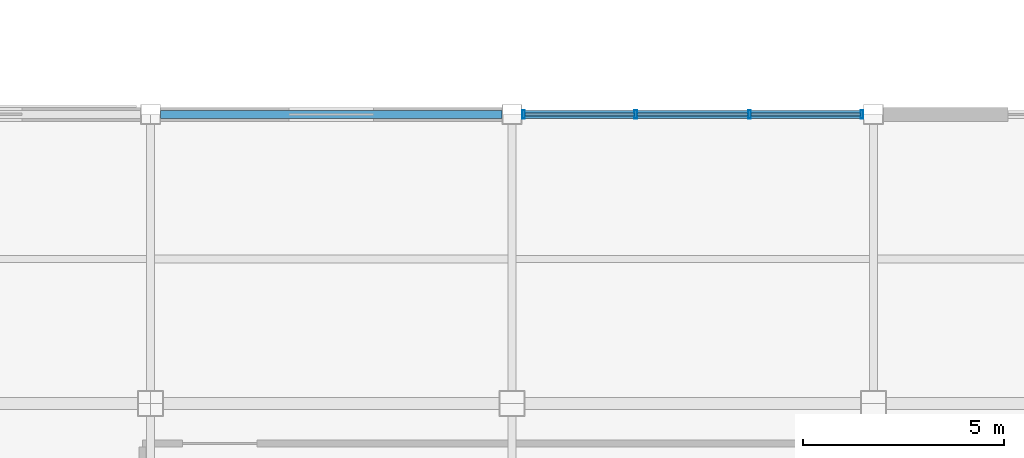
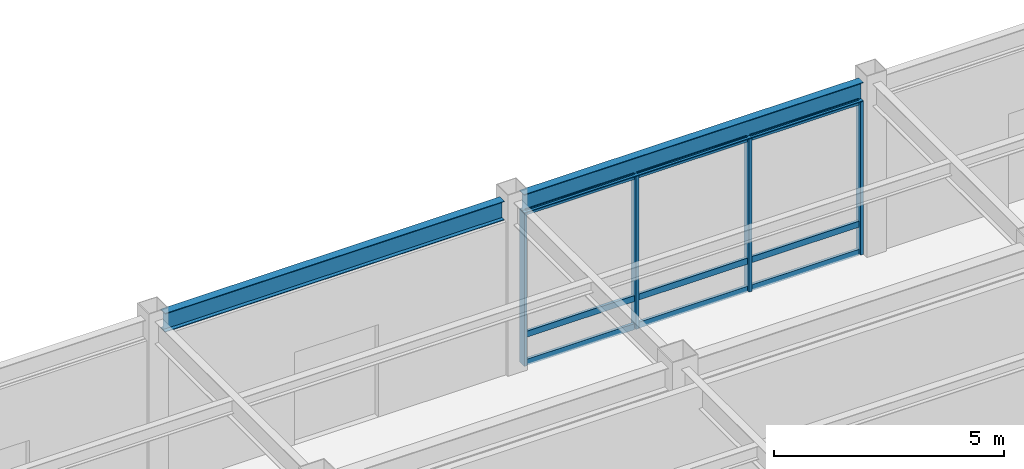
# One storey, part 71 of 112: 13 members, 2 beams, 1 element without a shape of its own.
"""IFC4 building model written with IfcOpenShell, lengths in metres."""

import ifcopenshell
import ifcopenshell.guid

model = None  # the IFC model being written
_history = None  # IfcOwnerHistory: only IFC2X3 demands one
_inside = {}  # id of a spatial element -> (the spatial element, [elements in it])
_under = {}  # id of a project, library or spatial element -> (it, [spatial elements below it])
_declared = {}  # id of a project -> (the project, [libraries it declares])
_typed = {}  # id of a type object -> (the type object, [elements of that type])
_made_of = {}  # id of a material, layer set ... -> (it, [elements and type objects made of it])


def new_model(schema):
    """Start an empty IFC model of exactly this schema.

    Asked for "IFC4X3", IfcOpenShell would pick the latest addendum, in which some entities
    have other attributes; the version numbers below select the first issue.
    IFC2X3 requires an IfcOwnerHistory on every rooted entity: one is made here for all.
    """
    global model, _history
    if schema == "IFC4X3":
        model = ifcopenshell.file(schema_version=(4, 3, 0, 0))
    else:
        model = ifcopenshell.file(schema=schema)
    _inside.clear()
    _under.clear()
    _declared.clear()
    _typed.clear()
    _made_of.clear()
    _history = None
    if model.schema == "IFC2X3":
        org = make("IfcOrganization", Name="unknown")
        user = make(
            "IfcPersonAndOrganization",
            ThePerson=make("IfcPerson", FamilyName="unknown"),
            TheOrganization=org,
        )
        app = make(
            "IfcApplication",
            ApplicationDeveloper=org,
            Version="unknown",
            ApplicationFullName="unknown",
            ApplicationIdentifier="unknown",
        )
        _history = make(
            "IfcOwnerHistory",
            OwningUser=user,
            OwningApplication=app,
            ChangeAction="ADDED",
            CreationDate=0,
        )
    return model


def make(cls, **values):
    """One entity of the class cls with the attributes given. An attribute that is None is left unset."""
    return model.create_entity(
        cls, **{name: value for name, value in values.items() if value is not None}
    )


def rooted(cls, **values):
    """An entity with a GlobalId (a new one), such as an element, a storey or a relation."""
    return make(cls, GlobalId=ifcopenshell.guid.new(), OwnerHistory=_history, **values)


def si_unit(unit_type, name, prefix=None):
    """IfcSIUnit, for example si_unit("LENGTHUNIT", "METRE", prefix="MILLI")."""
    return make("IfcSIUnit", UnitType=unit_type, Prefix=prefix, Name=name)


def assignment(units):
    """IfcUnitAssignment: the units of a project."""
    return None if units is None else make("IfcUnitAssignment", Units=units)


def point(xyz):
    """IfcCartesianPoint."""
    return None if xyz is None else make("IfcCartesianPoint", Coordinates=xyz)


def direction(xyz):
    """IfcDirection."""
    return None if xyz is None else make("IfcDirection", DirectionRatios=xyz)


def frame(location, z_axis=None, x_axis=None):
    """IfcAxis2Placement3D, a coordinate frame: its origin and axes. An axis left out is left unset."""
    return make(
        "IfcAxis2Placement3D",
        Location=point(location),
        Axis=direction(z_axis),
        RefDirection=direction(x_axis),
    )


def frame_2d(location, x_axis=None):
    """IfcAxis2Placement2D, a coordinate frame in the plane: its origin and x axis."""
    return make(
        "IfcAxis2Placement2D", Location=point(location), RefDirection=direction(x_axis)
    )


def origin():
    """The frame at (0, 0, 0) with its axes left unset."""
    return frame((0.0, 0.0, 0.0))


def origin_2d():
    """The frame at (0, 0) in the plane with its x axis left unset."""
    return frame_2d((0.0, 0.0))


def place(relative_to, where):
    """IfcLocalPlacement: puts the frame where relative to a parent placement (None: the world)."""
    return make(
        "IfcLocalPlacement", PlacementRelTo=relative_to, RelativePlacement=where
    )


def context(
    kind, dimensions, precision=None, world=None, true_north=None, identifier=None
):
    """IfcGeometricRepresentationContext, for example the 3D "Model" context."""
    return make(
        "IfcGeometricRepresentationContext",
        ContextIdentifier=identifier,
        ContextType=kind,
        CoordinateSpaceDimension=dimensions,
        Precision=precision,
        WorldCoordinateSystem=world,
        TrueNorth=true_north,
    )


def subcontext(parent, identifier, kind, view, scale=None):
    """IfcGeometricRepresentationSubContext, for example "Body" below "Model"."""
    return make(
        "IfcGeometricRepresentationSubContext",
        ContextIdentifier=identifier,
        ContextType=kind,
        ParentContext=parent,
        TargetScale=scale,
        TargetView=view,
    )


def project(units=None, contexts=None):
    """IfcProject with its units and contexts."""
    return rooted(
        "IfcProject",
        Name="project",
        RepresentationContexts=contexts,
        UnitsInContext=assignment(units),
    )


def spatial(cls, under=None, at=None, **own):
    """A site, building, storey or space (cls), placed at a placement, below another one or the project."""
    s = rooted(cls, ObjectPlacement=at, **own)
    if under is not None:
        _under.setdefault(under.id(), (under, []))[1].append(s)
    return s


def profile(cls, at=None, kind="AREA", **sizes):
    """A parametric profile (cls). Its sizes go by their IFC names, for example OverallWidth=200.0."""
    return make(cls, ProfileType=kind, Position=at, **sizes)


def hollow_rectangle(**sizes):
    """IfcRectangleHollowProfileDef."""
    return profile("IfcRectangleHollowProfileDef", **sizes)


def i_section(**sizes):
    """IfcIShapeProfileDef."""
    return profile("IfcIShapeProfileDef", **sizes)


def extrude(swept, where, along, depth):
    """IfcExtrudedAreaSolid: the profile swept, set in the frame where, extruded along a direction by depth."""
    return make(
        "IfcExtrudedAreaSolid",
        SweptArea=swept,
        Position=where,
        ExtrudedDirection=direction(along),
        Depth=depth,
    )


def shape(context_of_items, identifier, shape_type, items):
    """IfcShapeRepresentation: the items that make up one representation, for example the "Body"."""
    return make(
        "IfcShapeRepresentation",
        ContextOfItems=context_of_items,
        RepresentationIdentifier=identifier,
        RepresentationType=shape_type,
        Items=items,
    )


def material(Name=None, Category=None):
    """IfcMaterial."""
    return make("IfcMaterial", Name=Name, Category=Category)


def material_profile(
    of_material, cross_section, Name=None, Category=None, Priority=None
):
    """IfcMaterialProfile: a cross section and its material."""
    return make(
        "IfcMaterialProfile",
        Name=Name,
        Material=of_material,
        Profile=cross_section,
        Priority=Priority,
        Category=Category,
    )


def profile_set(profiles, Name=None, composite=None):
    """IfcMaterialProfileSet."""
    return make(
        "IfcMaterialProfileSet",
        Name=Name,
        MaterialProfiles=profiles,
        CompositeProfile=composite,
    )


def made_of(thing, what):
    """Note that an element or type object is made of a material, layer set ...; save() writes the relation."""
    if what is not None:
        _made_of.setdefault(what.id(), (what, []))[1].append(thing)
    return thing


def type_object(cls, material=None, **own):
    """A type object (cls), such as IfcWallType, which elements share."""
    return made_of(rooted(cls, **own), material)


def element(
    cls,
    number,
    at=None,
    inside=None,
    cuts=None,
    type_object=None,
    material=None,
    context=None,
    identifier="Body",
    shape_type=None,
    held_by="IfcProductDefinitionShape",
    body=None,
    shapes=None,
    **own,
):
    """One element of the class cls, such as IfcWall. Its Tag is "e" and its number.

    at: its placement. inside: the storey or other place that contains it. cuts: it is an
    opening in that element (IfcRelVoidsElement). A single representation is given by context,
    identifier, shape_type and body (its items); several are given by shapes. held_by: the class
    of the entity that holds the representations. save() writes the other relations.
    """
    e = rooted(cls, Tag="e%d" % number, ObjectPlacement=at, **own)
    if body is not None:
        shapes = [shape(context, identifier, shape_type, body)]
    if shapes is not None:
        e.Representation = make(held_by, Representations=shapes)
    if inside is not None:
        _inside.setdefault(inside.id(), (inside, []))[1].append(e)
    if cuts is not None:
        rooted(
            "IfcRelVoidsElement", RelatingBuildingElement=cuts, RelatedOpeningElement=e
        )
    if type_object is not None:
        _typed.setdefault(type_object.id(), (type_object, []))[1].append(e)
    return made_of(e, material)


def aggregate(whole, parts):
    """IfcRelAggregates: a whole, such as a stair, and the parts it consists of."""
    return rooted("IfcRelAggregates", RelatingObject=whole, RelatedObjects=parts)


def save(model, path):
    """Write the relations noted so far, then the file.

    IfcRelAggregates (storeys below a building ...), IfcRelContainedInSpatialStructure (elements
    in a storey), IfcRelDefinesByType, IfcRelAssociatesMaterial and IfcRelDeclares: one each for
    every whole, place, type object, material and project.
    """
    for whole, parts in _under.values():
        aggregate(whole, parts)
    for where, things in _inside.values():
        rooted(
            "IfcRelContainedInSpatialStructure",
            RelatedElements=things,
            RelatingStructure=where,
        )
    for kind, things in _typed.values():
        rooted("IfcRelDefinesByType", RelatedObjects=things, RelatingType=kind)
    for what, things in _made_of.values():
        rooted("IfcRelAssociatesMaterial", RelatedObjects=things, RelatingMaterial=what)
    for by, libraries in _declared.values():
        rooted("IfcRelDeclares", RelatingContext=by, RelatedDefinitions=libraries)
    model.write(path)


model = new_model("IFC4")

# Units and contexts
model_context = context("Model", 3, precision=1e-05, world=origin(), true_north=direction((0.0, 1.0)))
body_context = subcontext(model_context, "Body", "Model", "MODEL_VIEW")
ifc_project = project(units=[si_unit("LENGTHUNIT", "METRE"), si_unit("AREAUNIT", "SQUARE_METRE"), si_unit("VOLUMEUNIT", "CUBIC_METRE"), si_unit("PLANEANGLEUNIT", "RADIAN"), si_unit("MASSUNIT", "GRAM", prefix="KILO")], contexts=[model_context])

# Site, building, storey
site_placement = place(None, origin())
site = spatial("IfcSite", under=ifc_project, at=site_placement, CompositionType="ELEMENT")
building_placement = place(site_placement, origin())
building = spatial("IfcBuilding", under=site, at=building_placement, Name="Kazanami Central Library", CompositionType="ELEMENT")
storey_placement = place(building_placement, origin())
storey = spatial("IfcBuildingStorey", under=building, at=storey_placement, Name="L01", CompositionType="ELEMENT", Elevation=0.0)

# Beams
ifc_material_1 = material(Name="Steel SN490B (325 MPa)", Category="steel")
ifc_material_profile_1 = material_profile(ifc_material_1, i_section(OverallWidth=0.199951171875, OverallDepth=0.5, WebThickness=0.010009765625, FlangeThickness=0.01611328125, at=origin_2d()), Name="H-500x200x10x16")
ifc_profile_set_1 = profile_set([ifc_material_profile_1], Name="Steel SN490B (325 MPa)")
beam_type = type_object("IfcBeamType", Name="BM-SP-1", PredefinedType="SPANDREL", material=ifc_profile_set_1)
for number, where, z_axis, x_axis, name in (
    (1, (63.248046875, 93.60009765625, 4.304931640625), (1.0, 0.0, 0.0), (0.0, 1.0, 0.0), "Girder SP-1 L01 O/8-9"),
    (2, (72.248046875, 93.60009765625, 4.304931640625), (1.0, 0.0, 0.0), (0.0, 1.0, 0.0), "Girder SP-1 L01 O/9-10"),
):
    element("IfcBeam", number, at=place(storey_placement, frame(where, z_axis=z_axis, x_axis=x_axis)), inside=storey, type_object=beam_type, Name=name, PredefinedType="SPANDREL", context=body_context, shape_type="SweptSolid", body=[
        extrude(i_section(OverallWidth=0.199951171875, OverallDepth=0.5, WebThickness=0.010009765625, FlangeThickness=0.01611328125, at=origin_2d()), origin(), (0.0, 0.0, 1.0), 8.50390625),
    ])

# Curtain wall, members
ifc_material_2 = material(Name="Acid-Etched Low-E Laminated Glass", Category="glass")
curtain_wall_type = type_object("IfcCurtainWallType", Name="CW-8500x4055-M275", PredefinedType="USERDEFINED", material=ifc_material_2)
curtain_wall_placement = place(storey_placement, origin())
curtain_wall = element("IfcCurtainWall", 3, at=curtain_wall_placement, inside=storey, type_object=curtain_wall_type, Name="Unitised Curtain Wall CW-07 L01 N-O-08", ObjectType="UNITISED CURTAIN WALL", PredefinedType="USERDEFINED")
ifc_material_3 = material(Name="Anodised Aluminium A6063-T5", Category="aluminium")
ifc_material_profile_2 = material_profile(ifc_material_3, hollow_rectangle(XDim=0.070068359375, YDim=0.2099609375, WallThickness=0.0048828125, at=origin_2d()), Name="ALU-MULL-70x210x5")
ifc_profile_set_2 = profile_set([ifc_material_profile_2], Name="Anodised Aluminium A6063-T5")
member_type_1 = type_object("IfcMemberType", Name="MEM-CW-M1", PredefinedType="MULLION", material=ifc_profile_set_2)
member_1_placement = place(storey_placement, frame((80.715087890625, 93.60009765625, 0.0), z_axis=(0.0, 0.0, 1.0), x_axis=(-1.0, 0.0, 0.0)))
member_1 = element("IfcMember", 4, at=member_1_placement, type_object=member_type_1, Name="CW-07 mullion 1", PredefinedType="MULLION", context=body_context, shape_type="SweptSolid", body=[
    extrude(hollow_rectangle(XDim=0.070068359375, YDim=0.2099609375, WallThickness=0.0048828125, at=origin_2d()), origin(), (0.0, 0.0, 1.0), 4.054931640625),
])
member_2_placement = place(storey_placement, frame((77.916748046875, 93.60009765625, 0.0), z_axis=(0.0, 0.0, 1.0), x_axis=(-1.0, 0.0, 0.0)))
member_2 = element("IfcMember", 5, at=member_2_placement, type_object=member_type_1, Name="CW-07 mullion 2", PredefinedType="MULLION", context=body_context, shape_type="SweptSolid", body=[
    extrude(hollow_rectangle(XDim=0.070068359375, YDim=0.2099609375, WallThickness=0.0048828125, at=origin_2d()), origin(), (0.0, 0.0, 1.0), 4.054931640625),
])
member_3_placement = place(storey_placement, frame((75.083251953125, 93.60009765625, 0.0), z_axis=(0.0, 0.0, 1.0), x_axis=(-1.0, 0.0, 0.0)))
member_3 = element("IfcMember", 6, at=member_3_placement, type_object=member_type_1, Name="CW-07 mullion 3", PredefinedType="MULLION", context=body_context, shape_type="SweptSolid", body=[
    extrude(hollow_rectangle(XDim=0.070068359375, YDim=0.2099609375, WallThickness=0.0048828125, at=origin_2d()), origin(), (0.0, 0.0, 1.0), 4.054931640625),
])
member_4_placement = place(storey_placement, frame((72.284912109375, 93.60009765625, 0.0), z_axis=(0.0, 0.0, 1.0), x_axis=(-1.0, 0.0, 0.0)))
member_4 = element("IfcMember", 7, at=member_4_placement, type_object=member_type_1, Name="CW-07 mullion 4", PredefinedType="MULLION", context=body_context, shape_type="SweptSolid", body=[
    extrude(hollow_rectangle(XDim=0.070068359375, YDim=0.2099609375, WallThickness=0.0048828125, at=origin_2d()), origin(), (0.0, 0.0, 1.0), 4.054931640625),
])
ifc_material_profile_3 = material_profile(ifc_material_3, hollow_rectangle(XDim=0.070068359375, YDim=0.159912109375, WallThickness=0.00390625, at=origin_2d()), Name="ALU-TRAN-70x160x4")
ifc_profile_set_3 = profile_set([ifc_material_profile_3], Name="Anodised Aluminium A6063-T5")
member_type_2 = type_object("IfcMemberType", Name="MEM-CW-T1", PredefinedType="USERDEFINED", material=ifc_profile_set_3)
member_5_placement = place(storey_placement, frame((80.679931640625, 93.60009765625, 0.034912109375), z_axis=(-1.0, 0.0, 0.0), x_axis=(0.0, -1.0, 0.0)))
member_5 = element("IfcMember", 8, at=member_5_placement, type_object=member_type_2, Name="CW-07 transom 1.1", ObjectType="TRANSOM", PredefinedType="USERDEFINED", context=body_context, shape_type="SweptSolid", body=[
    extrude(hollow_rectangle(XDim=0.070068359375, YDim=0.159912109375, WallThickness=0.00390625, at=origin_2d()), origin(), (0.0, 0.0, 1.0), 2.728271484375),
])
member_6_placement = place(storey_placement, frame((80.679931640625, 93.60009765625, 0.780029296875), z_axis=(-1.0, 0.0, 0.0), x_axis=(0.0, -1.0, 0.0)))
member_6 = element("IfcMember", 9, at=member_6_placement, type_object=member_type_2, Name="CW-07 transom 1.2", ObjectType="TRANSOM", PredefinedType="USERDEFINED", context=body_context, shape_type="SweptSolid", body=[
    extrude(hollow_rectangle(XDim=0.070068359375, YDim=0.159912109375, WallThickness=0.00390625, at=origin_2d()), origin(), (0.0, 0.0, 1.0), 2.728271484375),
])
member_7_placement = place(storey_placement, frame((80.679931640625, 93.60009765625, 4.02001953125), z_axis=(-1.0, 0.0, 0.0), x_axis=(0.0, -1.0, 0.0)))
member_7 = element("IfcMember", 10, at=member_7_placement, type_object=member_type_2, Name="CW-07 transom 1.3", ObjectType="TRANSOM", PredefinedType="USERDEFINED", context=body_context, shape_type="SweptSolid", body=[
    extrude(hollow_rectangle(XDim=0.070068359375, YDim=0.159912109375, WallThickness=0.00390625, at=origin_2d()), origin(), (0.0, 0.0, 1.0), 2.728271484375),
])
member_8_placement = place(storey_placement, frame((77.881591796875, 93.60009765625, 0.034912109375), z_axis=(-1.0, 0.0, 0.0), x_axis=(0.0, -1.0, 0.0)))
member_8 = element("IfcMember", 11, at=member_8_placement, type_object=member_type_2, Name="CW-07 transom 2.1", ObjectType="TRANSOM", PredefinedType="USERDEFINED", context=body_context, shape_type="SweptSolid", body=[
    extrude(hollow_rectangle(XDim=0.070068359375, YDim=0.159912109375, WallThickness=0.00390625, at=origin_2d()), origin(), (0.0, 0.0, 1.0), 2.76318359375),
])
member_9_placement = place(storey_placement, frame((77.881591796875, 93.60009765625, 0.780029296875), z_axis=(-1.0, 0.0, 0.0), x_axis=(0.0, -1.0, 0.0)))
member_9 = element("IfcMember", 12, at=member_9_placement, type_object=member_type_2, Name="CW-07 transom 2.2", ObjectType="TRANSOM", PredefinedType="USERDEFINED", context=body_context, shape_type="SweptSolid", body=[
    extrude(hollow_rectangle(XDim=0.070068359375, YDim=0.159912109375, WallThickness=0.00390625, at=origin_2d()), origin(), (0.0, 0.0, 1.0), 2.76318359375),
])
member_10_placement = place(storey_placement, frame((77.881591796875, 93.60009765625, 4.02001953125), z_axis=(-1.0, 0.0, 0.0), x_axis=(0.0, -1.0, 0.0)))
member_10 = element("IfcMember", 13, at=member_10_placement, type_object=member_type_2, Name="CW-07 transom 2.3", ObjectType="TRANSOM", PredefinedType="USERDEFINED", context=body_context, shape_type="SweptSolid", body=[
    extrude(hollow_rectangle(XDim=0.070068359375, YDim=0.159912109375, WallThickness=0.00390625, at=origin_2d()), origin(), (0.0, 0.0, 1.0), 2.76318359375),
])
member_11_placement = place(storey_placement, frame((75.04833984375, 93.60009765625, 0.034912109375), z_axis=(-1.0, 0.0, 0.0), x_axis=(0.0, -1.0, 0.0)))
member_11 = element("IfcMember", 14, at=member_11_placement, type_object=member_type_2, Name="CW-07 transom 3.1", ObjectType="TRANSOM", PredefinedType="USERDEFINED", context=body_context, shape_type="SweptSolid", body=[
    extrude(hollow_rectangle(XDim=0.070068359375, YDim=0.159912109375, WallThickness=0.00390625, at=origin_2d()), origin(), (0.0, 0.0, 1.0), 2.728271484375),
])
member_12_placement = place(storey_placement, frame((75.04833984375, 93.60009765625, 0.780029296875), z_axis=(-1.0, 0.0, 0.0), x_axis=(0.0, -1.0, 0.0)))
member_12 = element("IfcMember", 15, at=member_12_placement, type_object=member_type_2, Name="CW-07 transom 3.2", ObjectType="TRANSOM", PredefinedType="USERDEFINED", context=body_context, shape_type="SweptSolid", body=[
    extrude(hollow_rectangle(XDim=0.070068359375, YDim=0.159912109375, WallThickness=0.00390625, at=origin_2d()), origin(), (0.0, 0.0, 1.0), 2.728271484375),
])
member_13_placement = place(storey_placement, frame((75.04833984375, 93.60009765625, 4.02001953125), z_axis=(-1.0, 0.0, 0.0), x_axis=(0.0, -1.0, 0.0)))
member_13 = element("IfcMember", 16, at=member_13_placement, type_object=member_type_2, Name="CW-07 transom 3.3", ObjectType="TRANSOM", PredefinedType="USERDEFINED", context=body_context, shape_type="SweptSolid", body=[
    extrude(hollow_rectangle(XDim=0.070068359375, YDim=0.159912109375, WallThickness=0.00390625, at=origin_2d()), origin(), (0.0, 0.0, 1.0), 2.728271484375),
])
aggregate(curtain_wall, [member_1, member_2, member_3, member_4, member_5, member_6, member_7, member_8, member_9, member_10, member_11, member_12, member_13])

save(model, "model.ifc")
